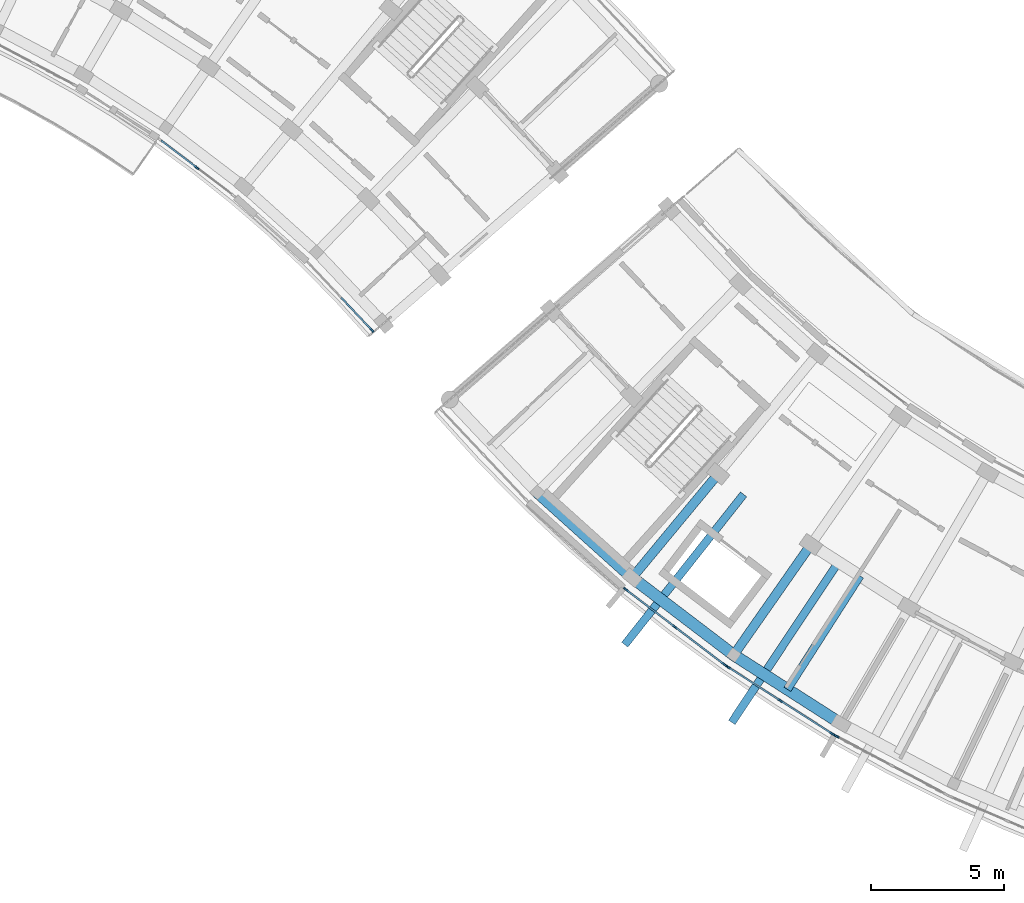
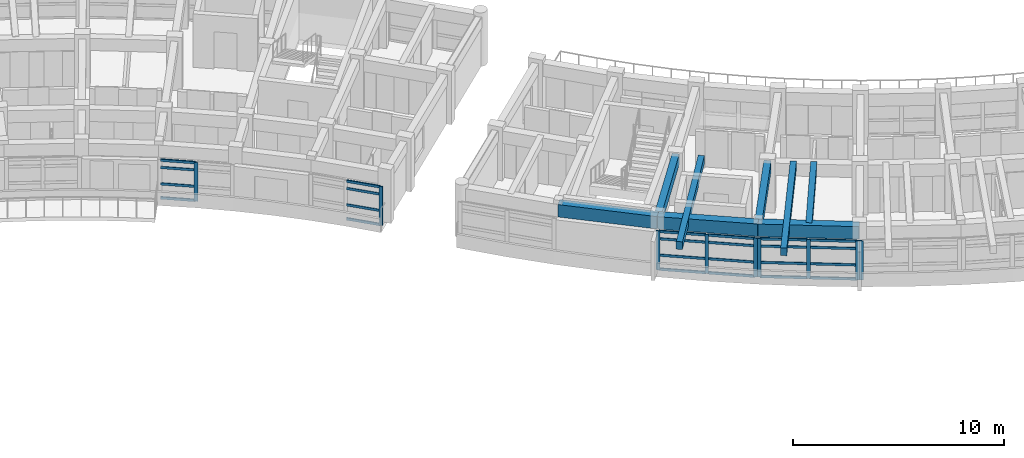
# One storey, part 9 of 54: 33 members, 8 beams, 5 elements without a shape of their own.
"""IFC4 building model written with IfcOpenShell, lengths in metres."""

from ifc_helpers import new_model, si_unit, direction, frame, origin, origin_2d, place, context, subcontext, project, spatial, rectangle, extrude, material, material_profile, profile_set, type_object, element, aggregate, save


model = new_model("IFC4")

# Units and contexts
model_context = context("Model", 3, precision=1e-05, world=origin(), true_north=direction((0.0, 1.0)))
body_context = subcontext(model_context, "Body", "Model", "MODEL_VIEW")
ifc_project = project(units=[si_unit("LENGTHUNIT", "METRE"), si_unit("AREAUNIT", "SQUARE_METRE"), si_unit("VOLUMEUNIT", "CUBIC_METRE"), si_unit("PLANEANGLEUNIT", "RADIAN"), si_unit("MASSUNIT", "GRAM", prefix="KILO")], contexts=[model_context])

# Site, building, storey
site_placement = place(None, origin())
site = spatial("IfcSite", under=ifc_project, at=site_placement, CompositionType="ELEMENT")
building_placement = place(site_placement, origin())
building = spatial("IfcBuilding", under=site, at=building_placement, Name="Zimvara Arc Housing Community", CompositionType="ELEMENT")
storey_placement = place(building_placement, frame((0.0, 0.0, 23.60009765625)))
storey = spatial("IfcBuildingStorey", under=building, at=storey_placement, Name="L07", CompositionType="ELEMENT", Elevation=23.60009765625)

# Beams
ifc_material_1 = material(Name="Concrete C40/50", Category="concrete")
ifc_material_profile_1 = material_profile(ifc_material_1, rectangle(XDim=0.300048828125, YDim=0.449951171875, at=origin_2d()), Name="RC 300x450")
ifc_profile_set_1 = profile_set([ifc_material_profile_1], Name="Concrete C40/50")
beam_type_1 = type_object("IfcBeamType", Name="BM-RC-300x450", PredefinedType="JOIST", material=ifc_profile_set_1)
beam_1_placement = place(storey_placement, frame((97.00244140625, 64.583984375, 2.635009765625), z_axis=(-0.539052331508, -0.842272274206, 0.0), x_axis=(0.842272274206, -0.539052331508, 0.0)))
element("IfcBeam", 1, at=beam_1_placement, inside=storey, type_object=beam_type_1, Name="bm:blkC:L07:joist:b3", PredefinedType="JOIST", context=body_context, shape_type="SweptSolid", body=[
    extrude(rectangle(XDim=0.300048828125, YDim=0.449951171875, at=origin_2d()), origin(), (0.0, 0.0, 1.0), 5.07568359375),
])
for number, where, z_axis, x_axis, name in (
    (2, (92.614013671875, 67.65625, 2.664794921875), (-0.620185744854, -0.784454996721, 0.0), (0.784454996721, -0.620185744854, 0.0), "bm:blkC:L07:cant_out:b2"),
    (3, (96.168701171875, 65.07470703125, 2.664794921875), (-0.554114811637, -0.832440253426, 0.0), (0.832440253426, -0.554114811637, 0.0), "bm:blkC:L07:cant_out:b3"),
):
    element("IfcBeam", number, at=place(storey_placement, frame(where, z_axis=z_axis, x_axis=x_axis)), inside=storey, type_object=beam_type_1, Name=name, PredefinedType="JOIST", context=body_context, shape_type="SweptSolid", body=[
        extrude(rectangle(XDim=0.300048828125, YDim=0.449951171875, at=origin_2d()), origin(), (0.0, 0.0, 1.0), 7.219970703125),
    ])
ifc_material_2 = material(Name="Concrete C40/50", Category="concrete")
ifc_material_profile_2 = material_profile(ifc_material_2, rectangle(XDim=0.35009765625, YDim=0.60009765625, at=origin_2d()), Name="RC 350x600")
ifc_profile_set_2 = profile_set([ifc_material_profile_2], Name="Concrete C40/50")
beam_type_2 = type_object("IfcBeamType", Name="BM-RC-350x600", PredefinedType="BEAM", material=ifc_profile_set_2)
beam_2_placement = place(storey_placement, frame((91.65771484375, 68.430419921875, 2.559814453125), z_axis=(-0.637960059333, -0.770069453164, 0.0), x_axis=(0.770069453164, -0.637960059333, 0.0)))
element("IfcBeam", 4, at=beam_2_placement, inside=storey, type_object=beam_type_2, Name="bm:blkC:L07:rad:b2:r23", PredefinedType="BEAM", context=body_context, shape_type="SweptSolid", body=[
    extrude(rectangle(XDim=0.35009765625, YDim=0.60009765625, at=origin_2d()), origin(), (0.0, 0.0, 1.0), 5.080322265625),
])
beam_3_placement = place(storey_placement, frame((95.15234375, 65.76806640625, 2.559814453125), z_axis=(-0.573007469479, -0.819550144848, 0.0), x_axis=(0.819550144848, -0.573007469479, 0.0)))
element("IfcBeam", 5, at=beam_3_placement, inside=storey, type_object=beam_type_2, Name="bm:blkC:L07:rad:b3:r23", PredefinedType="BEAM", context=body_context, shape_type="SweptSolid", body=[
    extrude(rectangle(XDim=0.35009765625, YDim=0.60009765625, at=origin_2d()), origin(), (0.0, 0.0, 1.0), 5.080078125),
])
ifc_material_3 = material(Name="Concrete C40/50", Category="concrete")
ifc_material_profile_3 = material_profile(ifc_material_3, rectangle(XDim=0.43994140625, YDim=0.719970703125, at=origin_2d()), Name="RC 440x720")
ifc_profile_set_3 = profile_set([ifc_material_profile_3], Name="Concrete C40/50")
beam_type_3 = type_object("IfcBeamType", Name="BM-RC-440x720", PredefinedType="BEAM", material=ifc_profile_set_3)
for number, where, z_axis, x_axis, name in (
    (6, (84.842529296875, 67.734375, 2.5), (0.743369885629, -0.668880567172, 0.0), (0.668880567172, 0.743369885629, 0.0), "bm:blkC:L07:chord:r3:b1"),
    (7, (88.416748046875, 64.518310546875, 2.5), (0.795480673672, -0.605978958228, 0.0), (0.605978958228, 0.795480673672, 0.0), "bm:blkC:L07:chord:r3:b2"),
    (8, (92.241455078125, 61.604736328125, 2.5), (0.842278777856, -0.539042169383, 0.0), (0.539042169383, 0.842278777856, 0.0), "bm:blkC:L07:chord:r3:b3"),
):
    element("IfcBeam", number, at=place(storey_placement, frame(where, z_axis=z_axis, x_axis=x_axis)), inside=storey, type_object=beam_type_3, Name=name, PredefinedType="BEAM", context=body_context, shape_type="SweptSolid", body=[
        extrude(rectangle(XDim=0.43994140625, YDim=0.719970703125, at=origin_2d()), origin(), (0.0, 0.0, 1.0), 4.80810546875),
    ])

# Curtain wall, member
ifc_material_4 = material(Name="Anodised Aluminium AW-6063", Category="aluminium")
curtain_wall_type_1 = type_object("IfcCurtainWallType", Name="CW-SYS-02", PredefinedType="USERDEFINED", material=ifc_material_4)
curtain_wall_1_placement = place(storey_placement, origin())
curtain_wall_1 = element("IfcCurtainWall", 9, at=curtain_wall_1_placement, inside=storey, type_object=curtain_wall_type_1, Name="cw:blkB:L07:in:b7", ObjectType="CURTAIN WALL", PredefinedType="USERDEFINED")
ifc_material_5 = material(Name="Anodised Aluminium AW-6063", Category="aluminium")
ifc_material_profile_4 = material_profile(ifc_material_5, rectangle(XDim=0.06494140625, YDim=0.179931640625, at=origin_2d()), Name="ALU 65x180")
ifc_profile_set_4 = profile_set([ifc_material_profile_4], Name="Anodised Aluminium AW-6063")
member_type_1 = type_object("IfcMemberType", Name="CWM-65x150", PredefinedType="MULLION", material=ifc_profile_set_4)
member_1_placement = place(storey_placement, frame((72.0166015625, 79.96435546875, 0.0), z_axis=(0.0, 0.0, 1.0), x_axis=(0.605988318533, 0.795473543119, 0.0)))
member_1 = element("IfcMember", 10, at=member_1_placement, type_object=member_type_1, Name="CW02 mullion 2", PredefinedType="MULLION", context=body_context, shape_type="SweptSolid", body=[
    extrude(rectangle(XDim=0.06494140625, YDim=0.179931640625, at=origin_2d()), origin(), (0.0, 0.0, 1.0), 2.25),
])

ifc_material_6 = material(Name="Anodised Aluminium AW-6063", Category="aluminium")
curtain_wall_type_2 = type_object("IfcCurtainWallType", Name="CW-SYS-04", PredefinedType="USERDEFINED", material=ifc_material_6)
curtain_wall_2_placement = place(storey_placement, origin())
curtain_wall_2 = element("IfcCurtainWall", 11, at=curtain_wall_2_placement, inside=storey, type_object=curtain_wall_type_2, Name="cw:blkB:L07:in:b9", ObjectType="CURTAIN WALL", PredefinedType="USERDEFINED")
member_2_placement = place(storey_placement, frame((78.611572265625, 73.840576171875, 0.0), z_axis=(0.0, 0.0, 1.0), x_axis=(0.727293280483, 0.686326805658, 0.0)))
member_2 = element("IfcMember", 12, at=member_2_placement, type_object=member_type_1, Name="CW04 mullion 3", PredefinedType="MULLION", context=body_context, shape_type="SweptSolid", body=[
    extrude(rectangle(XDim=0.06494140625, YDim=0.179931640625, at=origin_2d()), origin(), (0.0, 0.0, 1.0), 2.25),
])

# Curtain wall, members
curtain_wall_3_placement = place(storey_placement, origin())
curtain_wall_3 = element("IfcCurtainWall", 13, at=curtain_wall_3_placement, inside=storey, type_object=curtain_wall_type_2, Name="cw:blkC:L07:out:b2", ObjectType="CURTAIN WALL", PredefinedType="USERDEFINED")
member_3_placement = place(storey_placement, frame((88.17138671875, 64.077392578125, 0.0), z_axis=(0.0, 0.0, 1.0), x_axis=(0.60598771987, 0.795473999177, 0.0)))
member_3 = element("IfcMember", 14, at=member_3_placement, type_object=member_type_1, Name="CW04 mullion 1", PredefinedType="MULLION", context=body_context, shape_type="SweptSolid", body=[
    extrude(rectangle(XDim=0.06494140625, YDim=0.179931640625, at=origin_2d()), origin(), (0.0, 0.0, 1.0), 2.25),
])
member_4_placement = place(storey_placement, frame((90.0263671875, 62.6640625, 0.0), z_axis=(0.0, 0.0, 1.0), x_axis=(0.60598771987, 0.795473999177, 0.0)))
member_4 = element("IfcMember", 15, at=member_4_placement, type_object=member_type_1, Name="CW04 mullion 2", PredefinedType="MULLION", context=body_context, shape_type="SweptSolid", body=[
    extrude(rectangle(XDim=0.06494140625, YDim=0.179931640625, at=origin_2d()), origin(), (0.0, 0.0, 1.0), 2.25),
])
member_5_placement = place(storey_placement, frame((91.88134765625, 61.2509765625, 0.0), z_axis=(0.0, 0.0, 1.0), x_axis=(0.60598771987, 0.795473999177, 0.0)))
member_5 = element("IfcMember", 16, at=member_5_placement, type_object=member_type_1, Name="CW04 mullion 3", PredefinedType="MULLION", context=body_context, shape_type="SweptSolid", body=[
    extrude(rectangle(XDim=0.06494140625, YDim=0.179931640625, at=origin_2d()), origin(), (0.0, 0.0, 1.0), 2.25),
])

ifc_material_7 = material(Name="Anodised Aluminium AW-6063", Category="aluminium")
curtain_wall_type_3 = type_object("IfcCurtainWallType", Name="CW-SYS-06", PredefinedType="USERDEFINED", material=ifc_material_7)
curtain_wall_4_placement = place(storey_placement, origin())
curtain_wall_4 = element("IfcCurtainWall", 17, at=curtain_wall_4_placement, inside=storey, type_object=curtain_wall_type_3, Name="cw:blkC:L07:out:b3", ObjectType="CURTAIN WALL", PredefinedType="USERDEFINED")
member_6_placement = place(storey_placement, frame((92.032958984375, 61.14501953125, 0.0), z_axis=(0.0, 0.0, 1.0), x_axis=(0.539064617721, 0.842264410931, 0.0)))
member_6 = element("IfcMember", 18, at=member_6_placement, type_object=member_type_1, Name="CW06 mullion 1", PredefinedType="MULLION", context=body_context, shape_type="SweptSolid", body=[
    extrude(rectangle(XDim=0.06494140625, YDim=0.179931640625, at=origin_2d()), origin(), (0.0, 0.0, 1.0), 2.25),
])
member_7_placement = place(storey_placement, frame((93.9970703125, 59.887939453125, 0.0), z_axis=(0.0, 0.0, 1.0), x_axis=(0.539064617721, 0.842264410931, 0.0)))
member_7 = element("IfcMember", 19, at=member_7_placement, type_object=member_type_1, Name="CW06 mullion 2", PredefinedType="MULLION", context=body_context, shape_type="SweptSolid", body=[
    extrude(rectangle(XDim=0.06494140625, YDim=0.179931640625, at=origin_2d()), origin(), (0.0, 0.0, 1.0), 2.25),
])
member_8_placement = place(storey_placement, frame((95.961181640625, 58.630859375, 0.0), z_axis=(0.0, 0.0, 1.0), x_axis=(0.539064617721, 0.842264410931, 0.0)))
member_8 = element("IfcMember", 20, at=member_8_placement, type_object=member_type_1, Name="CW06 mullion 3", PredefinedType="MULLION", context=body_context, shape_type="SweptSolid", body=[
    extrude(rectangle(XDim=0.06494140625, YDim=0.179931640625, at=origin_2d()), origin(), (0.0, 0.0, 1.0), 2.25),
])

# Curtain wall, member
ifc_material_8 = material(Name="Anodised Aluminium AW-6063", Category="aluminium")
curtain_wall_type_4 = type_object("IfcCurtainWallType", Name="CW-SYS-07", PredefinedType="USERDEFINED", material=ifc_material_8)
curtain_wall_5_placement = place(storey_placement, origin())
curtain_wall_5 = element("IfcCurtainWall", 21, at=curtain_wall_5_placement, inside=storey, type_object=curtain_wall_type_4, Name="cw:blkC:L07:out:b4", ObjectType="CURTAIN WALL", PredefinedType="USERDEFINED")
ifc_material_9 = material(Name="Anodised Aluminium AW-6063", Category="aluminium")
ifc_material_profile_5 = material_profile(ifc_material_9, rectangle(XDim=0.06494140625, YDim=0.195068359375, at=origin_2d()), Name="ALU 65x195")
ifc_profile_set_5 = profile_set([ifc_material_profile_5], Name="Anodised Aluminium AW-6063")
member_type_2 = type_object("IfcMemberType", Name="CWM-65x180", PredefinedType="MULLION", material=ifc_profile_set_5)
member_9_placement = place(storey_placement, frame((96.120849609375, 58.537841796875, 0.0), z_axis=(0.0, 0.0, 1.0), x_axis=(0.468546917761, 0.883438614651, 0.0)))
member_9 = element("IfcMember", 22, at=member_9_placement, type_object=member_type_2, Name="CW07 mullion 1", PredefinedType="MULLION", context=body_context, shape_type="SweptSolid", body=[
    extrude(rectangle(XDim=0.06494140625, YDim=0.195068359375, at=origin_2d()), origin(), (0.0, 0.0, 1.0), 2.25),
])
aggregate(curtain_wall_5, [member_9])

# Member
ifc_material_10 = material(Name="Anodised Aluminium AW-6063", Category="aluminium")
ifc_material_profile_6 = material_profile(ifc_material_10, rectangle(XDim=0.06494140625, YDim=0.139892578125, at=origin_2d()), Name="ALU 65x140")
ifc_profile_set_6 = profile_set([ifc_material_profile_6], Name="Anodised Aluminium AW-6063")
member_type_3 = type_object("IfcMemberType", Name="CWT-65x120", PredefinedType="USERDEFINED", material=ifc_profile_set_6)
member_10_placement = place(storey_placement, frame((70.6669921875, 80.99267578125, 0.032470703125), z_axis=(0.795435087713, -0.606038795157, 0.0), x_axis=(0.606038795157, 0.795435087713, 0.0)))
member_10 = element("IfcMember", 23, at=member_10_placement, type_object=member_type_3, Name="CW02 transom 1.1", ObjectType="TRANSOM", PredefinedType="USERDEFINED", context=body_context, shape_type="SweptSolid", body=[
    extrude(rectangle(XDim=0.06494140625, YDim=0.139892578125, at=origin_2d()), origin(), (0.0, 0.0, 1.0), 1.6640625),
])

member_11_placement = place(storey_placement, frame((70.6669921875, 80.99267578125, 0.849853515625), z_axis=(0.795435087713, -0.606038795157, 0.0), x_axis=(0.606038795157, 0.795435087713, 0.0)))
member_11 = element("IfcMember", 24, at=member_11_placement, type_object=member_type_3, Name="CW02 transom 1.2", ObjectType="TRANSOM", PredefinedType="USERDEFINED", context=body_context, shape_type="SweptSolid", body=[
    extrude(rectangle(XDim=0.06494140625, YDim=0.139892578125, at=origin_2d()), origin(), (0.0, 0.0, 1.0), 1.6640625),
])

member_12_placement = place(storey_placement, frame((70.6669921875, 80.99267578125, 1.7998046875), z_axis=(0.795435087713, -0.606038795157, 0.0), x_axis=(0.606038795157, 0.795435087713, 0.0)))
member_12 = element("IfcMember", 25, at=member_12_placement, type_object=member_type_3, Name="CW02 transom 1.3", ObjectType="TRANSOM", PredefinedType="USERDEFINED", context=body_context, shape_type="SweptSolid", body=[
    extrude(rectangle(XDim=0.06494140625, YDim=0.139892578125, at=origin_2d()), origin(), (0.0, 0.0, 1.0), 1.6640625),
])

member_13_placement = place(storey_placement, frame((70.6669921875, 80.99267578125, 2.21728515625), z_axis=(0.795435087713, -0.606038795157, 0.0), x_axis=(0.606038795157, 0.795435087713, 0.0)))
member_13 = element("IfcMember", 26, at=member_13_placement, type_object=member_type_3, Name="CW02 transom 1.4", ObjectType="TRANSOM", PredefinedType="USERDEFINED", context=body_context, shape_type="SweptSolid", body=[
    extrude(rectangle(XDim=0.06494140625, YDim=0.139892578125, at=origin_2d()), origin(), (0.0, 0.0, 1.0), 1.6640625),
])

aggregate(curtain_wall_1, [member_1, member_10, member_11, member_12, member_13])

member_14_placement = place(storey_placement, frame((77.447021484375, 75.07470703125, 0.032470703125), z_axis=(0.686347817597, -0.727273451516, 0.0), x_axis=(0.727273451516, 0.686347817597, 0.0)))
member_14 = element("IfcMember", 27, at=member_14_placement, type_object=member_type_3, Name="CW04 transom 2.1", ObjectType="TRANSOM", PredefinedType="USERDEFINED", context=body_context, shape_type="SweptSolid", body=[
    extrude(rectangle(XDim=0.06494140625, YDim=0.139892578125, at=origin_2d()), origin(), (0.0, 0.0, 1.0), 1.664306640625),
])

member_15_placement = place(storey_placement, frame((77.447021484375, 75.07470703125, 0.849853515625), z_axis=(0.686347817597, -0.727273451516, 0.0), x_axis=(0.727273451516, 0.686347817597, 0.0)))
member_15 = element("IfcMember", 28, at=member_15_placement, type_object=member_type_3, Name="CW04 transom 2.2", ObjectType="TRANSOM", PredefinedType="USERDEFINED", context=body_context, shape_type="SweptSolid", body=[
    extrude(rectangle(XDim=0.06494140625, YDim=0.139892578125, at=origin_2d()), origin(), (0.0, 0.0, 1.0), 1.664306640625),
])

member_16_placement = place(storey_placement, frame((77.447021484375, 75.07470703125, 1.7998046875), z_axis=(0.686347817597, -0.727273451516, 0.0), x_axis=(0.727273451516, 0.686347817597, 0.0)))
member_16 = element("IfcMember", 29, at=member_16_placement, type_object=member_type_3, Name="CW04 transom 2.3", ObjectType="TRANSOM", PredefinedType="USERDEFINED", context=body_context, shape_type="SweptSolid", body=[
    extrude(rectangle(XDim=0.06494140625, YDim=0.139892578125, at=origin_2d()), origin(), (0.0, 0.0, 1.0), 1.664306640625),
])

member_17_placement = place(storey_placement, frame((77.447021484375, 75.07470703125, 2.21728515625), z_axis=(0.686347817597, -0.727273451516, 0.0), x_axis=(0.727273451516, 0.686347817597, 0.0)))
member_17 = element("IfcMember", 30, at=member_17_placement, type_object=member_type_3, Name="CW04 transom 2.4", ObjectType="TRANSOM", PredefinedType="USERDEFINED", context=body_context, shape_type="SweptSolid", body=[
    extrude(rectangle(XDim=0.06494140625, YDim=0.139892578125, at=origin_2d()), origin(), (0.0, 0.0, 1.0), 1.664306640625),
])

aggregate(curtain_wall_2, [member_2, member_14, member_15, member_16, member_17])

member_18_placement = place(storey_placement, frame((88.197265625, 64.0576171875, 0.032470703125), z_axis=(0.795453969776, -0.606014011363, 0.0), x_axis=(0.606014011363, 0.795453969776, 0.0)))
member_18 = element("IfcMember", 31, at=member_18_placement, type_object=member_type_3, Name="CW04 transom 1.1", ObjectType="TRANSOM", PredefinedType="USERDEFINED", context=body_context, shape_type="SweptSolid", body=[
    extrude(rectangle(XDim=0.06494140625, YDim=0.139892578125, at=origin_2d()), origin(), (0.0, 0.0, 1.0), 2.266845703125),
])

member_19_placement = place(storey_placement, frame((88.197265625, 64.0576171875, 0.849853515625), z_axis=(0.795453969776, -0.606014011363, 0.0), x_axis=(0.606014011363, 0.795453969776, 0.0)))
member_19 = element("IfcMember", 32, at=member_19_placement, type_object=member_type_3, Name="CW04 transom 1.2", ObjectType="TRANSOM", PredefinedType="USERDEFINED", context=body_context, shape_type="SweptSolid", body=[
    extrude(rectangle(XDim=0.06494140625, YDim=0.139892578125, at=origin_2d()), origin(), (0.0, 0.0, 1.0), 2.266845703125),
])

member_20_placement = place(storey_placement, frame((88.197265625, 64.0576171875, 1.7998046875), z_axis=(0.795453969776, -0.606014011363, 0.0), x_axis=(0.606014011363, 0.795453969776, 0.0)))
member_20 = element("IfcMember", 33, at=member_20_placement, type_object=member_type_3, Name="CW04 transom 1.3", ObjectType="TRANSOM", PredefinedType="USERDEFINED", context=body_context, shape_type="SweptSolid", body=[
    extrude(rectangle(XDim=0.06494140625, YDim=0.139892578125, at=origin_2d()), origin(), (0.0, 0.0, 1.0), 2.266845703125),
])

member_21_placement = place(storey_placement, frame((88.197265625, 64.0576171875, 2.21728515625), z_axis=(0.795453969776, -0.606014011363, 0.0), x_axis=(0.606014011363, 0.795453969776, 0.0)))
member_21 = element("IfcMember", 34, at=member_21_placement, type_object=member_type_3, Name="CW04 transom 1.4", ObjectType="TRANSOM", PredefinedType="USERDEFINED", context=body_context, shape_type="SweptSolid", body=[
    extrude(rectangle(XDim=0.06494140625, YDim=0.139892578125, at=origin_2d()), origin(), (0.0, 0.0, 1.0), 2.266845703125),
])

member_22_placement = place(storey_placement, frame((90.05224609375, 62.64453125, 0.032470703125), z_axis=(0.795453969776, -0.606014011363, 0.0), x_axis=(0.606014011363, 0.795453969776, 0.0)))
member_22 = element("IfcMember", 35, at=member_22_placement, type_object=member_type_3, Name="CW04 transom 2.1", ObjectType="TRANSOM", PredefinedType="USERDEFINED", context=body_context, shape_type="SweptSolid", body=[
    extrude(rectangle(XDim=0.06494140625, YDim=0.139892578125, at=origin_2d()), origin(), (0.0, 0.0, 1.0), 2.266845703125),
])

member_23_placement = place(storey_placement, frame((90.05224609375, 62.64453125, 0.849853515625), z_axis=(0.795453969776, -0.606014011363, 0.0), x_axis=(0.606014011363, 0.795453969776, 0.0)))
member_23 = element("IfcMember", 36, at=member_23_placement, type_object=member_type_3, Name="CW04 transom 2.2", ObjectType="TRANSOM", PredefinedType="USERDEFINED", context=body_context, shape_type="SweptSolid", body=[
    extrude(rectangle(XDim=0.06494140625, YDim=0.139892578125, at=origin_2d()), origin(), (0.0, 0.0, 1.0), 2.266845703125),
])

member_24_placement = place(storey_placement, frame((90.05224609375, 62.64453125, 1.7998046875), z_axis=(0.795453969776, -0.606014011363, 0.0), x_axis=(0.606014011363, 0.795453969776, 0.0)))
member_24 = element("IfcMember", 37, at=member_24_placement, type_object=member_type_3, Name="CW04 transom 2.3", ObjectType="TRANSOM", PredefinedType="USERDEFINED", context=body_context, shape_type="SweptSolid", body=[
    extrude(rectangle(XDim=0.06494140625, YDim=0.139892578125, at=origin_2d()), origin(), (0.0, 0.0, 1.0), 2.266845703125),
])

member_25_placement = place(storey_placement, frame((90.05224609375, 62.64453125, 2.21728515625), z_axis=(0.795453969776, -0.606014011363, 0.0), x_axis=(0.606014011363, 0.795453969776, 0.0)))
member_25 = element("IfcMember", 38, at=member_25_placement, type_object=member_type_3, Name="CW04 transom 2.4", ObjectType="TRANSOM", PredefinedType="USERDEFINED", context=body_context, shape_type="SweptSolid", body=[
    extrude(rectangle(XDim=0.06494140625, YDim=0.139892578125, at=origin_2d()), origin(), (0.0, 0.0, 1.0), 2.266845703125),
])

aggregate(curtain_wall_3, [member_3, member_4, member_5, member_18, member_19, member_20, member_21, member_22, member_23, member_24, member_25])

member_26_placement = place(storey_placement, frame((92.060302734375, 61.127685546875, 0.032470703125), z_axis=(0.842244018672, -0.539096478388, 0.0), x_axis=(0.539096478388, 0.842244018672, 0.0)))
member_26 = element("IfcMember", 39, at=member_26_placement, type_object=member_type_3, Name="CW06 transom 1.1", ObjectType="TRANSOM", PredefinedType="USERDEFINED", context=body_context, shape_type="SweptSolid", body=[
    extrude(rectangle(XDim=0.06494140625, YDim=0.139892578125, at=origin_2d()), origin(), (0.0, 0.0, 1.0), 2.26708984375),
])

member_27_placement = place(storey_placement, frame((92.060302734375, 61.127685546875, 0.849853515625), z_axis=(0.842244018672, -0.539096478388, 0.0), x_axis=(0.539096478388, 0.842244018672, 0.0)))
member_27 = element("IfcMember", 40, at=member_27_placement, type_object=member_type_3, Name="CW06 transom 1.2", ObjectType="TRANSOM", PredefinedType="USERDEFINED", context=body_context, shape_type="SweptSolid", body=[
    extrude(rectangle(XDim=0.06494140625, YDim=0.139892578125, at=origin_2d()), origin(), (0.0, 0.0, 1.0), 2.26708984375),
])

member_28_placement = place(storey_placement, frame((92.060302734375, 61.127685546875, 1.7998046875), z_axis=(0.842244018672, -0.539096478388, 0.0), x_axis=(0.539096478388, 0.842244018672, 0.0)))
member_28 = element("IfcMember", 41, at=member_28_placement, type_object=member_type_3, Name="CW06 transom 1.3", ObjectType="TRANSOM", PredefinedType="USERDEFINED", context=body_context, shape_type="SweptSolid", body=[
    extrude(rectangle(XDim=0.06494140625, YDim=0.139892578125, at=origin_2d()), origin(), (0.0, 0.0, 1.0), 2.26708984375),
])

member_29_placement = place(storey_placement, frame((92.060302734375, 61.127685546875, 2.21728515625), z_axis=(0.842244018672, -0.539096478388, 0.0), x_axis=(0.539096478388, 0.842244018672, 0.0)))
member_29 = element("IfcMember", 42, at=member_29_placement, type_object=member_type_3, Name="CW06 transom 1.4", ObjectType="TRANSOM", PredefinedType="USERDEFINED", context=body_context, shape_type="SweptSolid", body=[
    extrude(rectangle(XDim=0.06494140625, YDim=0.139892578125, at=origin_2d()), origin(), (0.0, 0.0, 1.0), 2.26708984375),
])

member_30_placement = place(storey_placement, frame((94.0244140625, 59.87060546875, 0.032470703125), z_axis=(0.842244018672, -0.539096478388, 0.0), x_axis=(0.539096478388, 0.842244018672, 0.0)))
member_30 = element("IfcMember", 43, at=member_30_placement, type_object=member_type_3, Name="CW06 transom 2.1", ObjectType="TRANSOM", PredefinedType="USERDEFINED", context=body_context, shape_type="SweptSolid", body=[
    extrude(rectangle(XDim=0.06494140625, YDim=0.139892578125, at=origin_2d()), origin(), (0.0, 0.0, 1.0), 2.26708984375),
])

member_31_placement = place(storey_placement, frame((94.0244140625, 59.87060546875, 0.849853515625), z_axis=(0.842244018672, -0.539096478388, 0.0), x_axis=(0.539096478388, 0.842244018672, 0.0)))
member_31 = element("IfcMember", 44, at=member_31_placement, type_object=member_type_3, Name="CW06 transom 2.2", ObjectType="TRANSOM", PredefinedType="USERDEFINED", context=body_context, shape_type="SweptSolid", body=[
    extrude(rectangle(XDim=0.06494140625, YDim=0.139892578125, at=origin_2d()), origin(), (0.0, 0.0, 1.0), 2.26708984375),
])

member_32_placement = place(storey_placement, frame((94.0244140625, 59.87060546875, 1.7998046875), z_axis=(0.842244018672, -0.539096478388, 0.0), x_axis=(0.539096478388, 0.842244018672, 0.0)))
member_32 = element("IfcMember", 45, at=member_32_placement, type_object=member_type_3, Name="CW06 transom 2.3", ObjectType="TRANSOM", PredefinedType="USERDEFINED", context=body_context, shape_type="SweptSolid", body=[
    extrude(rectangle(XDim=0.06494140625, YDim=0.139892578125, at=origin_2d()), origin(), (0.0, 0.0, 1.0), 2.26708984375),
])

member_33_placement = place(storey_placement, frame((94.0244140625, 59.87060546875, 2.21728515625), z_axis=(0.842244018672, -0.539096478388, 0.0), x_axis=(0.539096478388, 0.842244018672, 0.0)))
member_33 = element("IfcMember", 46, at=member_33_placement, type_object=member_type_3, Name="CW06 transom 2.4", ObjectType="TRANSOM", PredefinedType="USERDEFINED", context=body_context, shape_type="SweptSolid", body=[
    extrude(rectangle(XDim=0.06494140625, YDim=0.139892578125, at=origin_2d()), origin(), (0.0, 0.0, 1.0), 2.26708984375),
])

aggregate(curtain_wall_4, [member_6, member_7, member_8, member_26, member_27, member_28, member_29, member_30, member_31, member_32, member_33])

save(model, "model.ifc")
